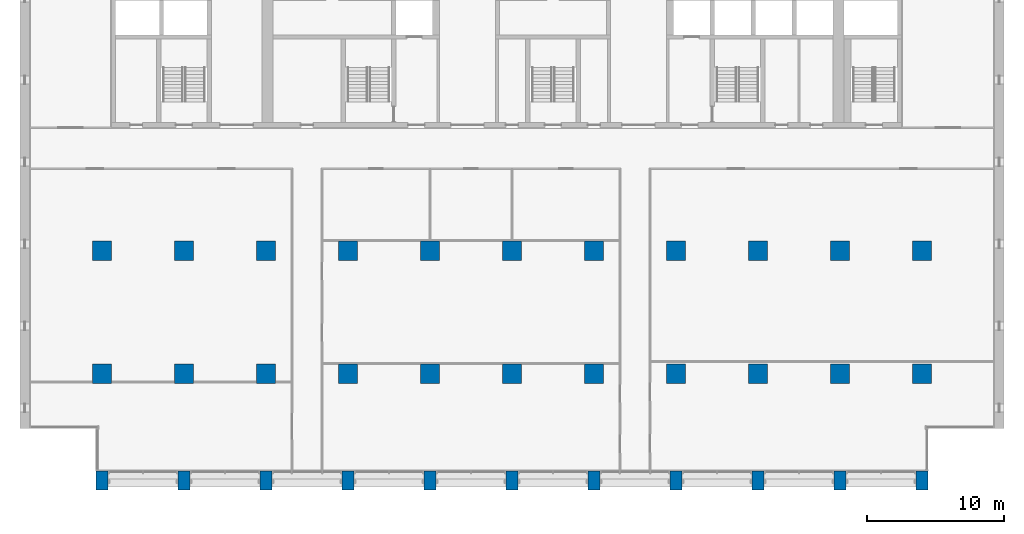
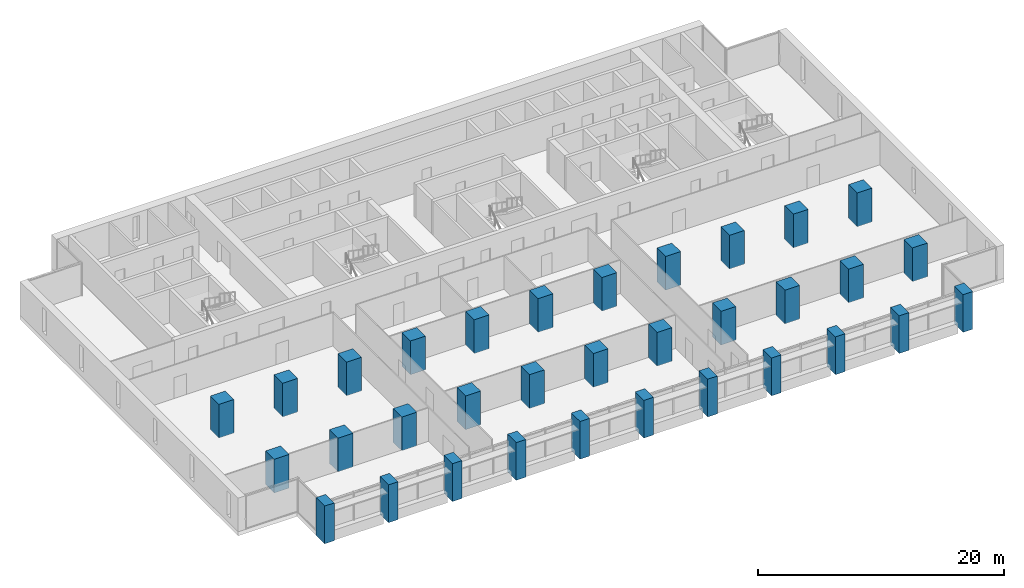
# One storey, part 1 of 15: 33 columns.
"""IFC4 building model written with IfcOpenShell, lengths in metres."""

from ifc_helpers import new_model, si_unit, direction, frame, origin, origin_2d, place, context, subcontext, project, spatial, rectangle, extrude, material, material_profile, profile_set, type_object, element, save


model = new_model("IFC4")

# Units and contexts
model_context = context("Model", 3, precision=1e-05, world=origin(), true_north=direction((0.0, 1.0)))
body_context = subcontext(model_context, "Body", "Model", "MODEL_VIEW")
ifc_project = project(units=[si_unit("LENGTHUNIT", "METRE"), si_unit("AREAUNIT", "SQUARE_METRE"), si_unit("VOLUMEUNIT", "CUBIC_METRE"), si_unit("PLANEANGLEUNIT", "RADIAN"), si_unit("MASSUNIT", "GRAM", prefix="KILO")], contexts=[model_context])

# Site, building, storey
site_placement = place(None, origin())
site = spatial("IfcSite", under=ifc_project, at=site_placement, CompositionType="ELEMENT")
building_placement = place(site_placement, origin())
building = spatial("IfcBuilding", under=site, at=building_placement, Name="Calvaro Tower", CompositionType="ELEMENT")
storey_placement = place(building_placement, frame((0.0, 0.0, 106.25)))
storey = spatial("IfcBuildingStorey", under=building, at=storey_placement, Name="L26", CompositionType="ELEMENT", Elevation=106.25)

# Columns
ifc_material_1 = material(Name="Concrete C60/75", Category="concrete")
ifc_material_profile_1 = material_profile(ifc_material_1, rectangle(XDim=1.39990234375, YDim=1.39990234375, at=origin_2d()), Name="RC 1400x1400")
ifc_profile_set_1 = profile_set([ifc_material_profile_1], Name="Concrete C60/75")
column_type_1 = type_object("IfcColumnType", Name="Column 1400x1400 C60/75", PredefinedType="COLUMN", material=ifc_profile_set_1)
for number, where, z_axis, x_axis, name in (
    (1, (6.0, 10.0, 0.0), (0.0, 0.0, 1.0), (1.0, 0.0, 0.0), "Column 2B"),
    (2, (6.0, 19.0, 0.0), (0.0, 0.0, 1.0), (1.0, 0.0, 0.0), "Column 2C"),
    (3, (12.0, 10.0, 0.0), (0.0, 0.0, 1.0), (1.0, 0.0, 0.0), "Column 3B"),
    (4, (12.0, 19.0, 0.0), (0.0, 0.0, 1.0), (1.0, 0.0, 0.0), "Column 3C"),
    (5, (18.0, 10.0, 0.0), (0.0, 0.0, 1.0), (1.0, 0.0, 0.0), "Column 4B"),
    (6, (18.0, 19.0, 0.0), (0.0, 0.0, 1.0), (1.0, 0.0, 0.0), "Column 4C"),
    (7, (24.0, 10.0, 0.0), (0.0, 0.0, 1.0), (1.0, 0.0, 0.0), "Column 5B"),
    (8, (24.0, 19.0, 0.0), (0.0, 0.0, 1.0), (1.0, 0.0, 0.0), "Column 5C"),
    (9, (30.0, 10.0, 0.0), (0.0, 0.0, 1.0), (1.0, 0.0, 0.0), "Column 6B"),
    (10, (30.0, 19.0, 0.0), (0.0, 0.0, 1.0), (1.0, 0.0, 0.0), "Column 6C"),
    (11, (36.0, 10.0, 0.0), (0.0, 0.0, 1.0), (1.0, 0.0, 0.0), "Column 7B"),
    (12, (36.0, 19.0, 0.0), (0.0, 0.0, 1.0), (1.0, 0.0, 0.0), "Column 7C"),
    (13, (42.0, 10.0, 0.0), (0.0, 0.0, 1.0), (1.0, 0.0, 0.0), "Column 8B"),
    (14, (42.0, 19.0, 0.0), (0.0, 0.0, 1.0), (1.0, 0.0, 0.0), "Column 8C"),
    (15, (48.0, 10.0, 0.0), (0.0, 0.0, 1.0), (1.0, 0.0, 0.0), "Column 9B"),
    (16, (48.0, 19.0, 0.0), (0.0, 0.0, 1.0), (1.0, 0.0, 0.0), "Column 9C"),
    (17, (54.0, 10.0, 0.0), (0.0, 0.0, 1.0), (1.0, 0.0, 0.0), "Column 10B"),
    (18, (54.0, 19.0, 0.0), (0.0, 0.0, 1.0), (1.0, 0.0, 0.0), "Column 10C"),
    (19, (60.0, 10.0, 0.0), (0.0, 0.0, 1.0), (1.0, 0.0, 0.0), "Column 11B"),
    (20, (60.0, 19.0, 0.0), (0.0, 0.0, 1.0), (1.0, 0.0, 0.0), "Column 11C"),
    (21, (66.0, 10.0, 0.0), (0.0, 0.0, 1.0), (1.0, 0.0, 0.0), "Column 12B"),
    (22, (66.0, 19.0, 0.0), (0.0, 0.0, 1.0), (1.0, 0.0, 0.0), "Column 12C"),
):
    element("IfcColumn", number, at=place(storey_placement, frame(where, z_axis=z_axis, x_axis=x_axis)), inside=storey, type_object=column_type_1, Name=name, PredefinedType="COLUMN", context=body_context, shape_type="SweptSolid", body=[
        extrude(rectangle(XDim=1.39990234375, YDim=1.39990234375, at=origin_2d()), origin(), (0.0, 0.0, 1.0), 3.35009765625),
    ])
ifc_material_2 = material(Name="Concrete C60/75", Category="concrete")
ifc_material_profile_2 = material_profile(ifc_material_2, rectangle(XDim=0.89990234375, YDim=1.39990234375, at=origin_2d()), Name="RC 900x1400")
ifc_profile_set_2 = profile_set([ifc_material_profile_2], Name="Concrete C60/75")
column_type_2 = type_object("IfcColumnType", Name="Pier 900x1400 C60/75", PredefinedType="COLUMN", material=ifc_profile_set_2)
for number, where, z_axis, x_axis, name in (
    (23, (6.0, 2.199951171875, -0.39990234375), (0.0, 0.0, 1.0), (1.0, 0.0, 0.0), "South pier 2"),
    (24, (12.0, 2.199951171875, -0.39990234375), (0.0, 0.0, 1.0), (1.0, 0.0, 0.0), "South pier 3"),
    (25, (18.0, 2.199951171875, -0.39990234375), (0.0, 0.0, 1.0), (1.0, 0.0, 0.0), "South pier 4"),
    (26, (24.0, 2.199951171875, -0.39990234375), (0.0, 0.0, 1.0), (1.0, 0.0, 0.0), "South pier 5"),
    (27, (30.0, 2.199951171875, -0.39990234375), (0.0, 0.0, 1.0), (1.0, 0.0, 0.0), "South pier 6"),
    (28, (36.0, 2.199951171875, -0.39990234375), (0.0, 0.0, 1.0), (1.0, 0.0, 0.0), "South pier 7"),
    (29, (42.0, 2.199951171875, -0.39990234375), (0.0, 0.0, 1.0), (1.0, 0.0, 0.0), "South pier 8"),
    (30, (48.0, 2.199951171875, -0.39990234375), (0.0, 0.0, 1.0), (1.0, 0.0, 0.0), "South pier 9"),
    (31, (54.0, 2.199951171875, -0.39990234375), (0.0, 0.0, 1.0), (1.0, 0.0, 0.0), "South pier 10"),
    (32, (60.0, 2.199951171875, -0.39990234375), (0.0, 0.0, 1.0), (1.0, 0.0, 0.0), "South pier 11"),
    (33, (66.0, 2.199951171875, -0.39990234375), (0.0, 0.0, 1.0), (1.0, 0.0, 0.0), "South pier 12"),
):
    element("IfcColumn", number, at=place(storey_placement, frame(where, z_axis=z_axis, x_axis=x_axis)), inside=storey, type_object=column_type_2, Name=name, PredefinedType="COLUMN", context=body_context, shape_type="SweptSolid", body=[
        extrude(rectangle(XDim=0.89990234375, YDim=1.39990234375, at=origin_2d()), origin(), (0.0, 0.0, 1.0), 3.75),
    ])

save(model, "model.ifc")
